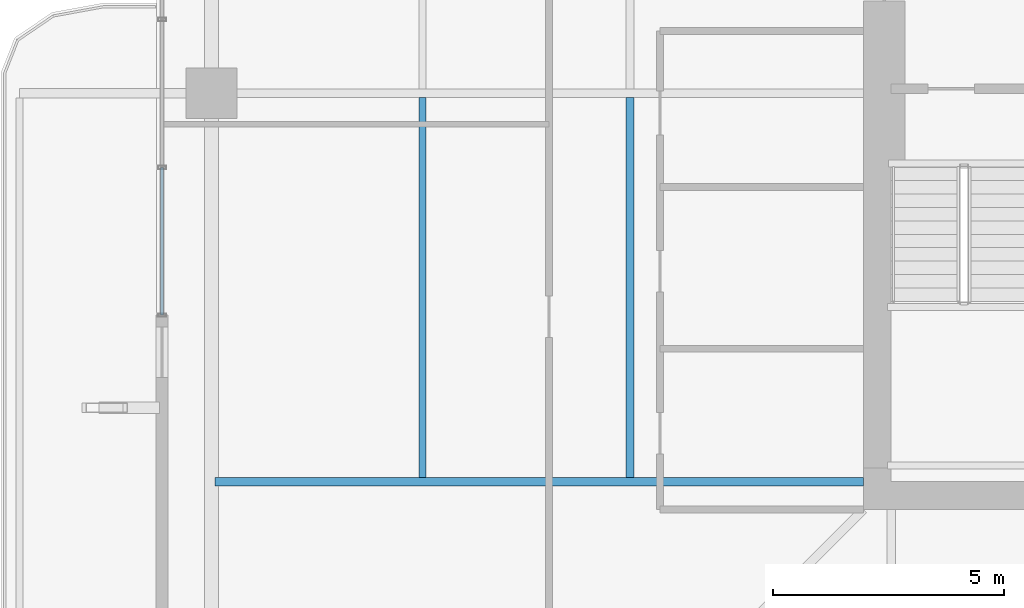
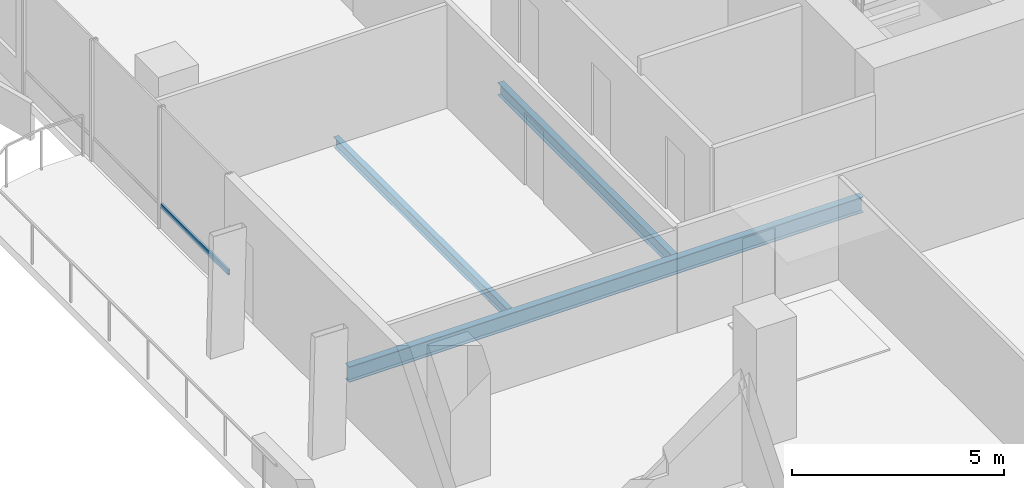
# One storey, part 5 of 25: 3 beams, 1 member, 1 element without a shape of its own.
"""IFC4 building model written with IfcOpenShell, lengths in metres."""

from ifc_helpers import new_model, si_unit, direction, frame, origin, origin_2d, place, context, subcontext, project, spatial, hollow_rectangle, i_section, extrude, material, layer, layer_set, material_profile, profile_set, type_object, element, aggregate, save


model = new_model("IFC4")

# Units and contexts
model_context = context("Model", 3, precision=1e-05, world=origin(), true_north=direction((0.0, 1.0)))
body_context = subcontext(model_context, "Body", "Model", "MODEL_VIEW")
ifc_project = project(units=[si_unit("LENGTHUNIT", "METRE"), si_unit("AREAUNIT", "SQUARE_METRE"), si_unit("VOLUMEUNIT", "CUBIC_METRE"), si_unit("PLANEANGLEUNIT", "RADIAN"), si_unit("MASSUNIT", "GRAM", prefix="KILO")], contexts=[model_context])

# Site, building, storey
site_placement = place(None, origin())
site = spatial("IfcSite", under=ifc_project, at=site_placement, CompositionType="ELEMENT")
building_placement = place(site_placement, origin())
building = spatial("IfcBuilding", under=site, at=building_placement, Name="Belovzor Exchange Tower", CompositionType="ELEMENT")
storey_placement = place(building_placement, frame((0.0, 0.0, 164.550048828125)))
storey = spatial("IfcBuildingStorey", under=building, at=storey_placement, Name="L40", CompositionType="ELEMENT", Elevation=164.550048828125)

# Beams
ifc_material_1 = material(Name="Steel S355", Category="steel")
ifc_material_profile_1 = material_profile(ifc_material_1, i_section(OverallWidth=0.169921875, OverallDepth=0.360107421875, WebThickness=0.008056640625, FlangeThickness=0.0126953125, at=origin_2d()))
ifc_profile_set_1 = profile_set([ifc_material_profile_1], Name="Steel S355")
beam_type_1 = type_object("IfcBeamType", Name="Secondary Infill Floor Joist IPE 360", PredefinedType="BEAM", material=ifc_profile_set_1)
beam_1_placement = place(storey_placement, frame((14.7509765625, 20.4951171875, -0.43505859375), z_axis=(0.0, 1.0, 0.0), x_axis=(-1.0, 0.0, 0.0)))
element("IfcBeam", 1, at=beam_1_placement, inside=storey, type_object=beam_type_1, Name="FJ-360 Secondary Infill Floor Joist IPE 360", PredefinedType="BEAM", context=body_context, shape_type="SweptSolid", body=[
    extrude(i_section(OverallWidth=0.169921875, OverallDepth=0.360107421875, WebThickness=0.008056640625, FlangeThickness=0.0126953125, at=origin_2d()), origin(), (0.0, 0.0, 1.0), 8.2099609375),
])
ifc_material_2 = material(Name="Steel S355", Category="steel")
ifc_material_profile_2 = material_profile(ifc_material_2, i_section(OverallWidth=0.14990234375, OverallDepth=0.300048828125, WebThickness=0.007080078125, FlangeThickness=0.0107421875, at=origin_2d()))
ifc_profile_set_2 = profile_set([ifc_material_profile_2], Name="Steel S355")
beam_type_2 = type_object("IfcBeamType", Name="Secondary Trim Floor Joist IPE 300", PredefinedType="BEAM", material=ifc_profile_set_2)
beam_2_placement = place(storey_placement, frame((10.262939453125, 20.4951171875, -0.405029296875), z_axis=(0.0, 1.0, 0.0), x_axis=(-1.0, 0.0, 0.0)))
element("IfcBeam", 2, at=beam_2_placement, inside=storey, type_object=beam_type_2, Name="FJ-300 Secondary Trim Floor Joist IPE 300", PredefinedType="BEAM", context=body_context, shape_type="SweptSolid", body=[
    extrude(i_section(OverallWidth=0.14990234375, OverallDepth=0.300048828125, WebThickness=0.007080078125, FlangeThickness=0.0107421875, at=origin_2d()), origin(), (0.0, 0.0, 1.0), 8.2099609375),
])

# Curtain wall, member
ifc_material_3 = material(Name="Anodised Aluminium Framing", Category="aluminium")
ifc_layer = layer(ifc_material_3, 0.179931640625)
ifc_layer_set = layer_set([ifc_layer], Name="Anodised Aluminium Framing")
curtain_wall_type = type_object("IfcCurtainWallType", Name="Recessed Loggia Low-Iron Triple-Glazed Curtain Wall", PredefinedType="NOTDEFINED", material=ifc_layer_set)
curtain_wall_placement = place(storey_placement, origin())
curtain_wall = element("IfcCurtainWall", 3, at=curtain_wall_placement, inside=storey, type_object=curtain_wall_type, Name="CW3 Recessed Loggia Low-Iron Triple-Glazed Curtain Wall L40", PredefinedType="NOTDEFINED")
ifc_material_4 = material(Name="Steel S355", Category="steel")
ifc_material_profile_3 = material_profile(ifc_material_4, hollow_rectangle(XDim=0.06005859375, YDim=0.14990234375, WallThickness=0.00390625, at=origin_2d()))
ifc_profile_set_3 = profile_set([ifc_material_profile_3], Name="Steel S355")
member_type = type_object("IfcMemberType", Name="Thermally Broken Curtain Wall Transom 150x60", PredefinedType="USERDEFINED", material=ifc_profile_set_3)
member_placement = place(storey_placement, frame((4.6298828125, 24.008056640625, 0.62890625), z_axis=(0.0, 1.0, 0.0), x_axis=(-1.0, 0.0, 0.0)))
member = element("IfcMember", 4, at=member_placement, type_object=member_type, Name="CW-T150 Curtain Wall Transom 1", ObjectType="TRANSOM", PredefinedType="USERDEFINED", context=body_context, shape_type="SweptSolid", body=[
    extrude(hollow_rectangle(XDim=0.06005859375, YDim=0.14990234375, WallThickness=0.00390625, at=origin_2d()), origin(), (0.0, 0.0, 1.0), 3.183837890625),
])
aggregate(curtain_wall, [member])

# Beam
ifc_material_5 = material(Name="Steel S355", Category="steel")
ifc_material_profile_4 = material_profile(ifc_material_5, i_section(OverallWidth=0.18994140625, OverallDepth=0.449951171875, WebThickness=0.009521484375, FlangeThickness=0.0146484375, at=origin_2d()))
ifc_profile_set_4 = profile_set([ifc_material_profile_4], Name="Steel S355")
beam_type_3 = type_object("IfcBeamType", Name="Zone 2-4 Radial Composite Floor Beam IPE 450", PredefinedType="BEAM", material=ifc_profile_set_4)
beam_3_placement = place(storey_placement, frame((19.800048828125, 20.39990234375, -0.47998046875), z_axis=(-1.0, 0.0, 0.0), x_axis=(0.0, -1.0, 0.0)))
element("IfcBeam", 5, at=beam_3_placement, inside=storey, type_object=beam_type_3, Name="FB-450 Zone 2-4 Radial Composite Floor Beam IPE 450", PredefinedType="BEAM", context=body_context, shape_type="SweptSolid", body=[
    extrude(i_section(OverallWidth=0.18994140625, OverallDepth=0.449951171875, WebThickness=0.009521484375, FlangeThickness=0.0146484375, at=origin_2d()), origin(), (0.0, 0.0, 1.0), 14.025146484375),
])

save(model, "model.ifc")
